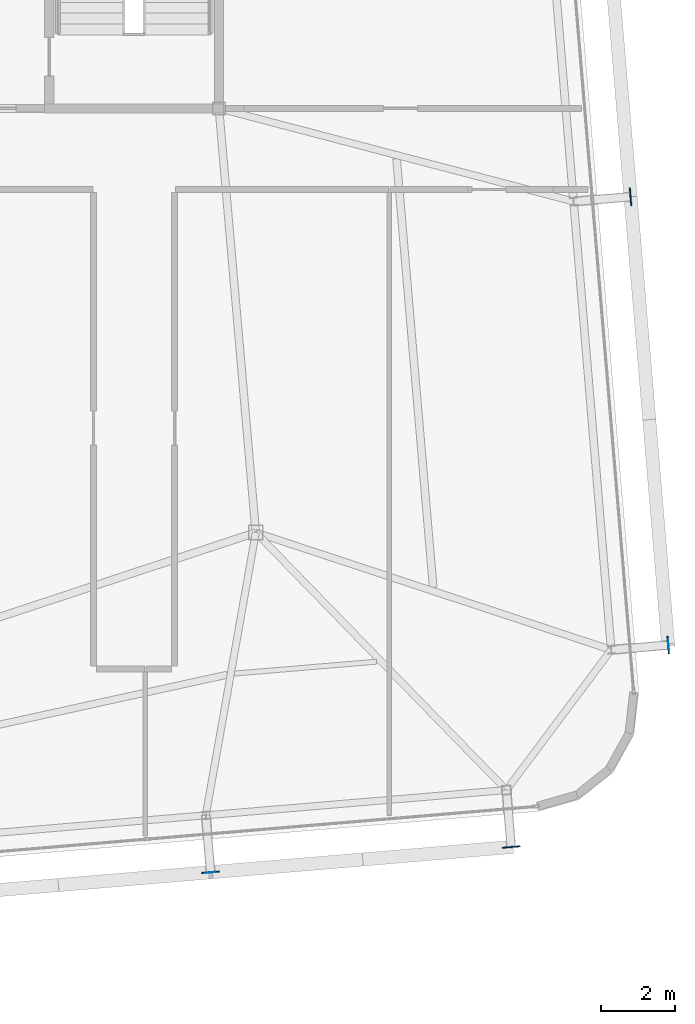
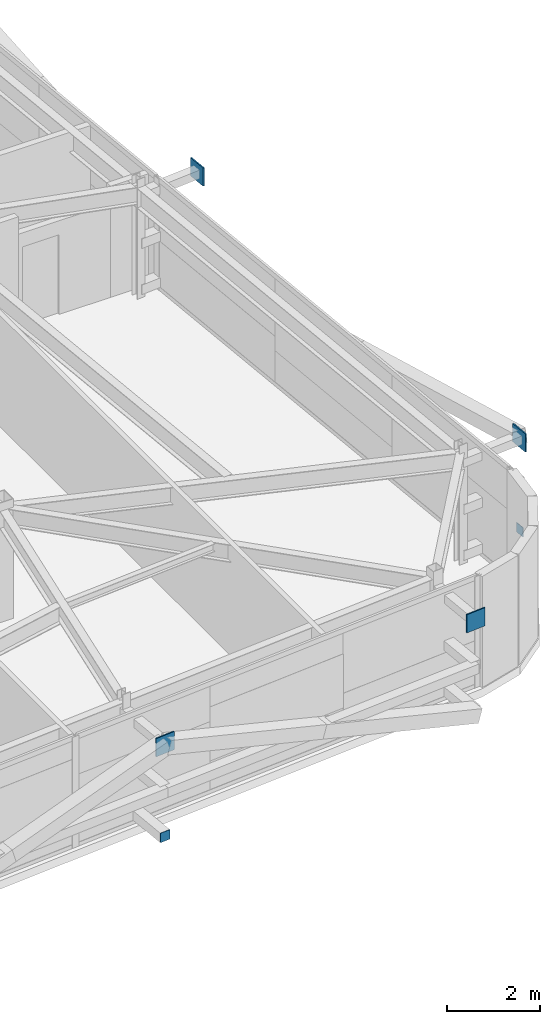
# One storey, part 30 of 37: 6 plates.
"""IFC4 building model written with IfcOpenShell, lengths in metres."""

from ifc_helpers import new_model, si_unit, direction, frame, origin, origin_2d, place, context, subcontext, project, spatial, rectangle, extrude, source, transform, mapped, material, layer, layer_set, type_object, element, save


model = new_model("IFC4")

# Units and contexts
model_context = context("Model", 3, precision=1e-05, world=origin(), true_north=direction((0.0, 1.0)))
body_context = subcontext(model_context, "Body", "Model", "MODEL_VIEW")
ifc_project = project(units=[si_unit("LENGTHUNIT", "METRE"), si_unit("AREAUNIT", "SQUARE_METRE"), si_unit("VOLUMEUNIT", "CUBIC_METRE"), si_unit("PLANEANGLEUNIT", "RADIAN"), si_unit("MASSUNIT", "GRAM", prefix="KILO")], contexts=[model_context])

# Site, building, storey
site_placement = place(None, origin())
site = spatial("IfcSite", under=ifc_project, at=site_placement, CompositionType="ELEMENT")
building_placement = place(site_placement, origin())
building = spatial("IfcBuilding", under=site, at=building_placement, Name="Taldren Reach Tower", CompositionType="ELEMENT")
storey_placement = place(building_placement, frame((0.0, 0.0, 182.0)))
storey = spatial("IfcBuildingStorey", under=building, at=storey_placement, Name="L55", CompositionType="ELEMENT", Elevation=182.0)

# Plates
ifc_material_1 = material(Name="Steel Gr 350 (C350L0)", Category="steel")
ifc_layer_1 = layer(ifc_material_1, 0.011962890625)
ifc_layer_set_1 = layer_set([ifc_layer_1], Name="Steel Gr 350 (C350L0)")
plate_type_1 = type_object("IfcPlateType", Name="PL-CAP-250", PredefinedType="SHEET", material=ifc_layer_set_1)
shared_shape_1 = source(origin(), body_context, "Body", "SweptSolid", [
    extrude(rectangle(XDim=0.25, YDim=0.011962890625, at=origin_2d()), origin(), (0.0, 0.0, 1.0), 0.25),
])
plate_1_placement = place(storey_placement, frame((50.775146484375, 3.281494140625, 0.094970703125), z_axis=(0.0, 0.0, 1.0), x_axis=(0.99649285925, 0.083677843332, 0.0)))
element("IfcPlate", 1, at=plate_1_placement, inside=storey, type_object=plate_type_1, Name="Tie strut end cap plate B4-S5 L55", PredefinedType="SHEET", context=body_context, shape_type="MappedRepresentation", body=[
    mapped(shared_shape_1, transform((0.0, 0.0, 0.0), scale=1.0)),
])
shared_shape_2 = source(origin(), body_context, "Body", "SweptSolid", [
    extrude(rectangle(XDim=0.011962890625, YDim=0.25, at=origin_2d()), origin(), (0.0, 0.0, 1.0), 0.25),
])
plate_2_placement = place(storey_placement, frame((63.188720703125, 9.44775390625, 0.094970703125), z_axis=(0.0, 0.0, 1.0), x_axis=(0.99649285925, 0.083677843332, 0.0)))
element("IfcPlate", 2, at=plate_2_placement, inside=storey, type_object=plate_type_1, Name="Tie strut end cap plate B4-E1 L55", PredefinedType="SHEET", context=body_context, shape_type="MappedRepresentation", body=[
    mapped(shared_shape_2, transform((0.0, 0.0, 0.0), scale=1.0)),
])
ifc_material_2 = material(Name="Steel Gr 450 (C450L0)", Category="steel")
ifc_layer_2 = layer(ifc_material_2, 0.031982421875)
ifc_layer_set_2 = layer_set([ifc_layer_2], Name="Steel Gr 450 (C450L0)")
plate_type_2 = type_object("IfcPlateType", Name="PL-GUSSET-32", PredefinedType="SHEET", material=ifc_layer_set_2)
shared_shape_3 = source(origin(), body_context, "Body", "SweptSolid", [
    extrude(rectangle(XDim=0.47998046875, YDim=0.031982421875, at=origin_2d()), origin(), (0.0, 0.0, 1.0), 0.47998046875),
])
for number, where, z_axis, x_axis, name in (
    (3, (50.774658203125, 3.287353515625, 2.409912109375), (0.0, 0.0, 1.0), (0.99649285925, 0.083677843332, 0.0), "Exoskeleton star-node gusset plate B4-S5 L55"),
    (4, (58.926025390625, 3.971923828125, 2.409912109375), (0.0, 0.0, 1.0), (0.99649285925, 0.083677843332, 0.0), "Exoskeleton star-node gusset plate B4-S6 L55"),
    (5, (63.1826171875, 9.447265625, 2.409912109375), (0.0, 0.0, 1.0), (-0.083677843332, 0.99649285925, 0.0), "Exoskeleton star-node gusset plate B4-E1 L55"),
    (6, (62.161865234375, 21.6044921875, 2.409912109375), (0.0, 0.0, 1.0), (-0.083677843332, 0.99649285925, 0.0), "Exoskeleton star-node gusset plate B4-E2 L55"),
):
    element("IfcPlate", number, at=place(storey_placement, frame(where, z_axis=z_axis, x_axis=x_axis)), inside=storey, type_object=plate_type_2, Name=name, PredefinedType="SHEET", context=body_context, shape_type="MappedRepresentation", body=[
        mapped(shared_shape_3, transform((0.0, 0.0, 0.0), scale=1.0)),
    ])

save(model, "model.ifc")
